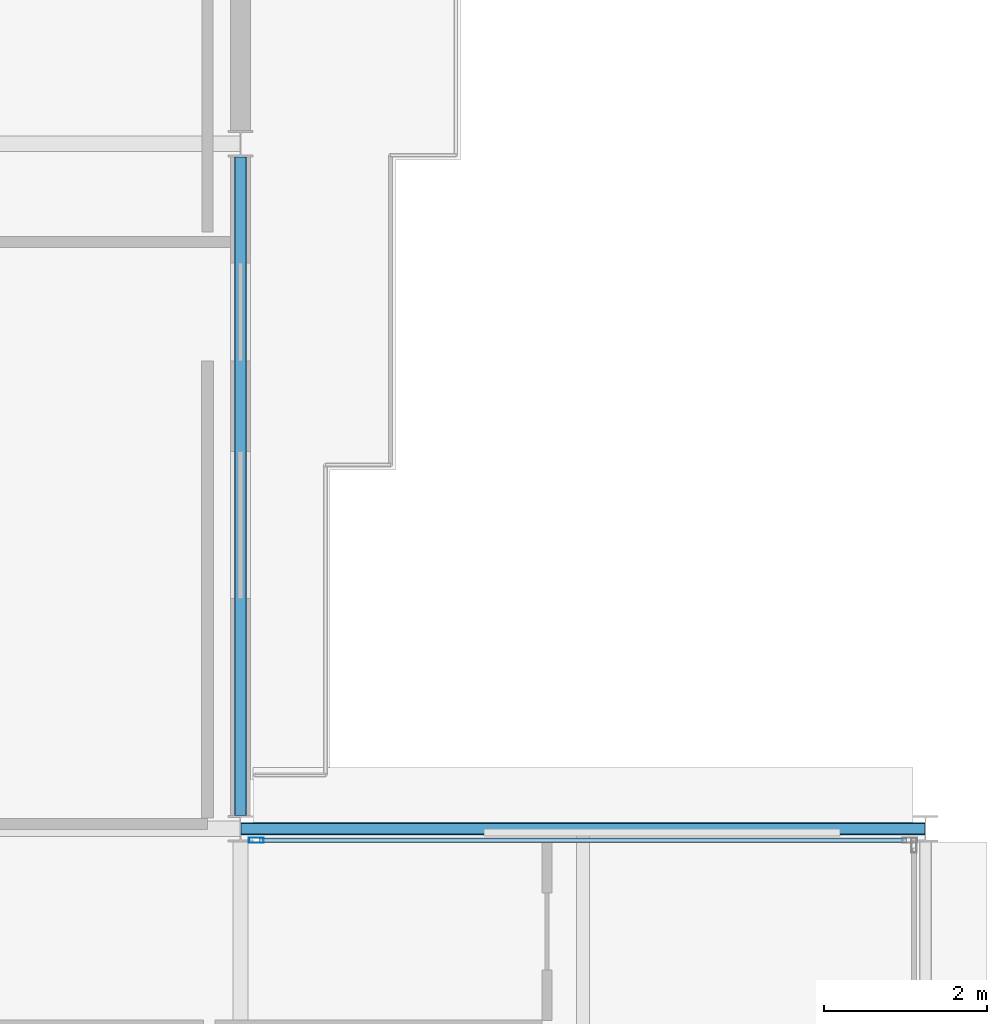
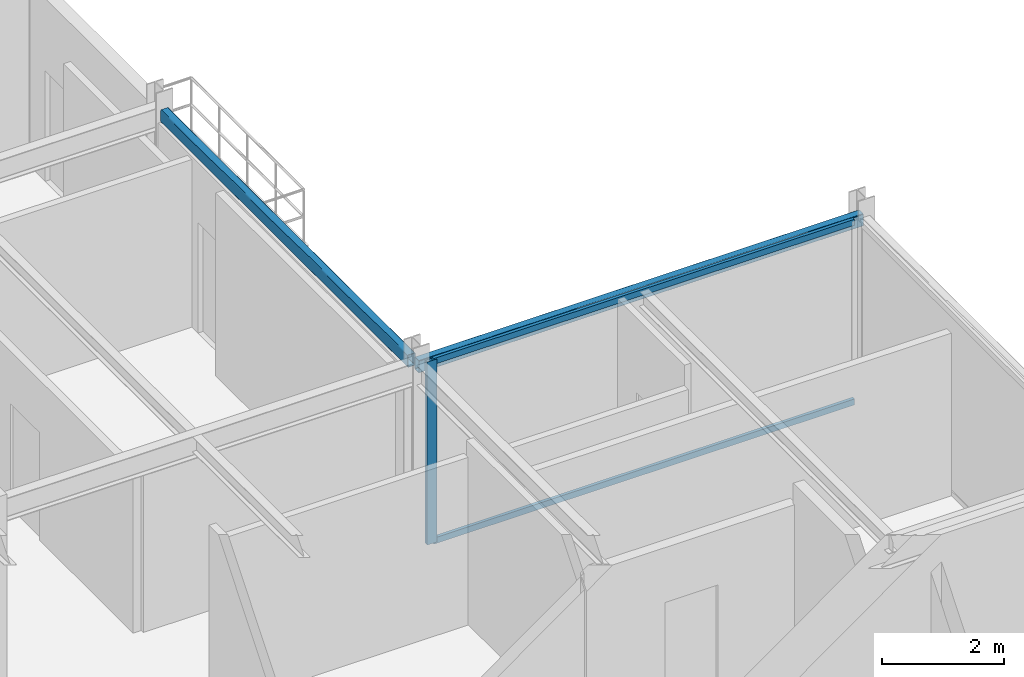
# One storey, part 13 of 25: 3 members, 2 beams, 1 element without a shape of its own.
"""IFC4 building model written with IfcOpenShell, lengths in metres."""

from ifc_helpers import new_model, si_unit, direction, frame, origin, origin_2d, place, context, subcontext, project, spatial, hollow_rectangle, extrude, material, layer, layer_set, material_profile, profile_set, type_object, element, aggregate, save


model = new_model("IFC4")

# Units and contexts
model_context = context("Model", 3, precision=1e-05, world=origin(), true_north=direction((0.0, 1.0)))
body_context = subcontext(model_context, "Body", "Model", "MODEL_VIEW")
ifc_project = project(units=[si_unit("LENGTHUNIT", "METRE"), si_unit("AREAUNIT", "SQUARE_METRE"), si_unit("VOLUMEUNIT", "CUBIC_METRE"), si_unit("PLANEANGLEUNIT", "RADIAN"), si_unit("MASSUNIT", "GRAM", prefix="KILO")], contexts=[model_context])

# Site, building, storey
site_placement = place(None, origin())
site = spatial("IfcSite", under=ifc_project, at=site_placement, CompositionType="ELEMENT")
building_placement = place(site_placement, origin())
building = spatial("IfcBuilding", under=site, at=building_placement, Name="Nerrivon Quay Data Exchange", CompositionType="ELEMENT")
storey_placement = place(building_placement, frame((0.0, 0.0, 318.199951171875)))
storey = spatial("IfcBuildingStorey", under=building, at=storey_placement, Name="L76", CompositionType="ELEMENT", Elevation=318.199951171875)

# Beams
ifc_material_1 = material(Name="Steel Grade C350L0 (350 MPa)", Category="steel")
ifc_material_profile_1 = material_profile(ifc_material_1, hollow_rectangle(XDim=0.14990234375, YDim=0.25, WallThickness=0.009033203125, InnerFilletRadius=0.013427734375, OuterFilletRadius=0.0224609375, at=origin_2d()), Name="250x150x9.0RHS")
ifc_profile_set_1 = profile_set([ifc_material_profile_1], Name="Steel Grade C350L0 (350 MPa)")
beam_type = type_object("IfcBeamType", Name="BM-SP4-250x150RHS", PredefinedType="SPANDREL", material=ifc_profile_set_1)
beam_1_placement = place(storey_placement, frame((25.2080078125, 25.199951171875, 3.525146484375), z_axis=(1.0, 0.0, 0.0), x_axis=(0.0, 1.0, 0.0)))
element("IfcBeam", 1, at=beam_1_placement, inside=storey, type_object=beam_type, Name="L76 EW Girder Y=25.2 (25.2..33.6)", PredefinedType="SPANDREL", context=body_context, shape_type="SweptSolid", body=[
    extrude(hollow_rectangle(XDim=0.14990234375, YDim=0.25, WallThickness=0.009033203125, InnerFilletRadius=0.013427734375, OuterFilletRadius=0.0224609375, at=origin_2d()), origin(), (0.0, 0.0, 1.0), 8.38427734375),
])
beam_2_placement = place(storey_placement, frame((25.199951171875, 25.363525390625, 3.525146484375), z_axis=(0.0, 1.0, 0.0), x_axis=(-1.0, 0.0, 0.0)))
element("IfcBeam", 2, at=beam_2_placement, inside=storey, type_object=beam_type, Name="L76 NS Girder X=25.2 (25.2..33.6)", PredefinedType="SPANDREL", context=body_context, shape_type="SweptSolid", body=[
    extrude(hollow_rectangle(XDim=0.14990234375, YDim=0.25, WallThickness=0.009033203125, InnerFilletRadius=0.013427734375, OuterFilletRadius=0.0224609375, at=origin_2d()), origin(), (0.0, 0.0, 1.0), 8.072998046875),
])

# Curtain wall, members
ifc_material_2 = material(Name="Anodised aluminium 6063-T6", Category="aluminium")
ifc_layer = layer(ifc_material_2, 0.195068359375)
ifc_layer_set = layer_set([ifc_layer], Name="Anodised aluminium 6063-T6")
curtain_wall_type = type_object("IfcCurtainWallType", Name="CW-SYS-06", PredefinedType="NOTDEFINED", material=ifc_layer_set)
curtain_wall_placement = place(storey_placement, origin())
curtain_wall = element("IfcCurtainWall", 3, at=curtain_wall_placement, inside=storey, type_object=curtain_wall_type, Name="L76 Unitised Curtain Wall 21", PredefinedType="NOTDEFINED")
ifc_material_profile_2 = material_profile(ifc_material_2, hollow_rectangle(XDim=0.06494140625, YDim=0.179931640625, WallThickness=0.00341796875, at=origin_2d()), Name="ALU-MULL-180x65")
ifc_profile_set_2 = profile_set([ifc_material_profile_2], Name="Anodised aluminium 6063-T6")
member_type_1 = type_object("IfcMemberType", Name="CWM-180x65", PredefinedType="MULLION", material=ifc_profile_set_2)
member_1_placement = place(storey_placement, frame((25.39306640625, 25.06005859375, 0.0), z_axis=(0.0, 0.0, 1.0), x_axis=(0.0, 1.0, 0.0)))
member_1 = element("IfcMember", 4, at=member_1_placement, type_object=member_type_1, Name="CW06 mullion 1", PredefinedType="MULLION", context=body_context, shape_type="SweptSolid", body=[
    extrude(hollow_rectangle(XDim=0.06494140625, YDim=0.179931640625, WallThickness=0.00341796875, at=origin_2d()), origin(), (0.0, 0.0, 1.0), 3.650146484375),
])
ifc_material_profile_3 = material_profile(ifc_material_2, hollow_rectangle(XDim=0.06005859375, YDim=0.1201171875, WallThickness=0.003173828125, at=origin_2d()), Name="ALU-TRAN-120x60")
ifc_profile_set_3 = profile_set([ifc_material_profile_3], Name="Anodised aluminium 6063-T6")
member_type_2 = type_object("IfcMemberType", Name="CWT-120x60", PredefinedType="USERDEFINED", material=ifc_profile_set_3)
member_2_placement = place(storey_placement, frame((25.430419921875, 25.06005859375, 0.032470703125), z_axis=(1.0, 0.0, 0.0), x_axis=(0.0, 1.0, 0.0)))
member_2 = element("IfcMember", 5, at=member_2_placement, type_object=member_type_2, Name="CW06 transom 1.1", ObjectType="TRANSOM", PredefinedType="USERDEFINED", context=body_context, shape_type="SweptSolid", body=[
    extrude(hollow_rectangle(XDim=0.06005859375, YDim=0.1201171875, WallThickness=0.003173828125, at=origin_2d()), origin(), (0.0, 0.0, 1.0), 7.93896484375),
])
member_3_placement = place(storey_placement, frame((25.430419921875, 25.06005859375, 3.617431640625), z_axis=(1.0, 0.0, 0.0), x_axis=(0.0, 1.0, 0.0)))
member_3 = element("IfcMember", 6, at=member_3_placement, type_object=member_type_2, Name="CW06 transom 1.2", ObjectType="TRANSOM", PredefinedType="USERDEFINED", context=body_context, shape_type="SweptSolid", body=[
    extrude(hollow_rectangle(XDim=0.06005859375, YDim=0.1201171875, WallThickness=0.003173828125, at=origin_2d()), origin(), (0.0, 0.0, 1.0), 7.93896484375),
])
aggregate(curtain_wall, [member_1, member_2, member_3])

save(model, "model.ifc")
